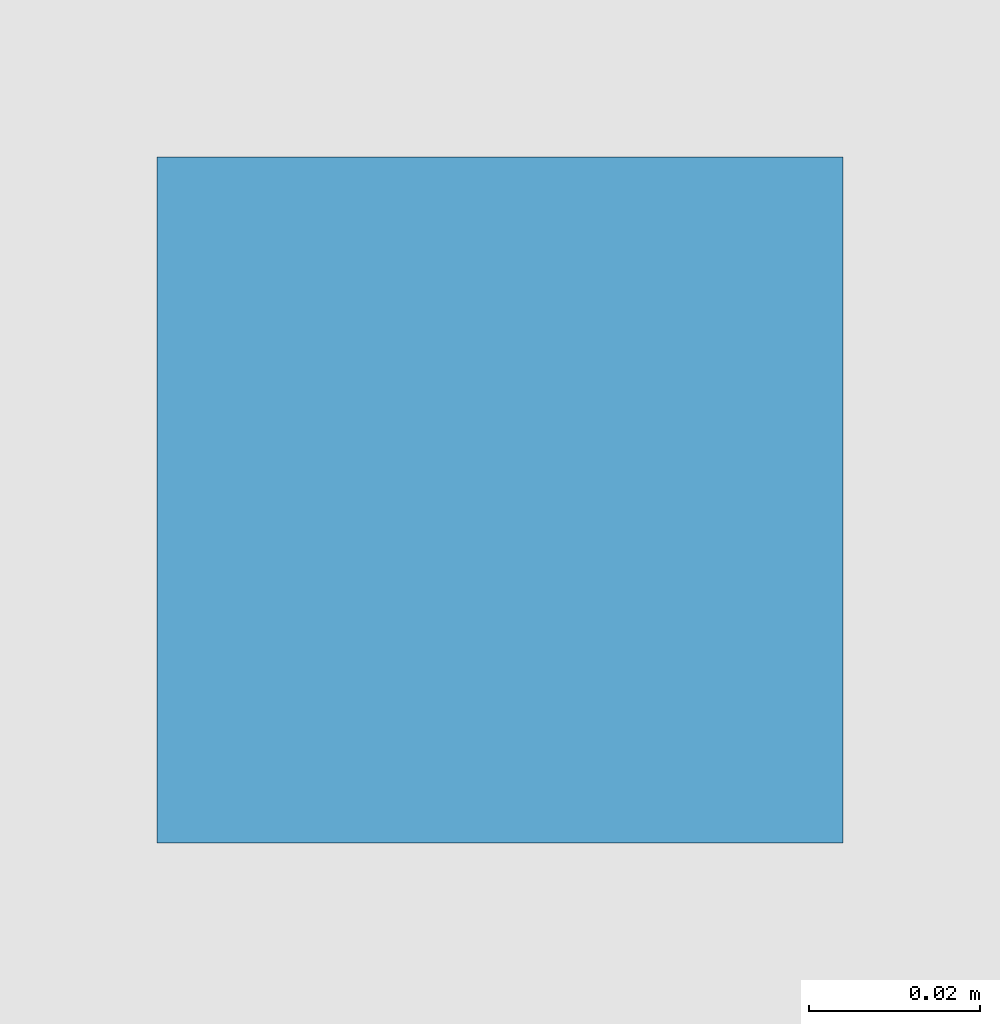
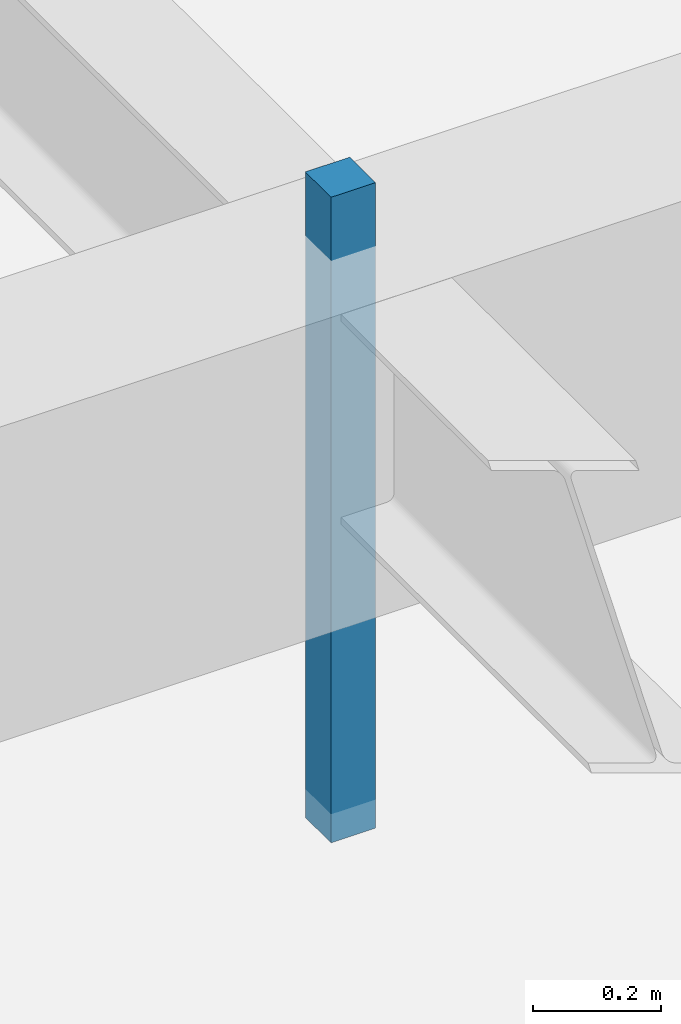
# One storey, part 113 of 126: 1 discrete accessory.
"""IFC4 building model written with IfcOpenShell, lengths in metres."""

from ifc_helpers import new_model, si_unit, direction, frame, origin, origin_2d, place, context, subcontext, project, spatial, rectangle, extrude, material, layer, layer_set, type_object, element, save


model = new_model("IFC4")

# Units and contexts
model_context = context("Model", 3, precision=1e-05, world=origin(), true_north=direction((0.0, 1.0)))
body_context = subcontext(model_context, "Body", "Model", "MODEL_VIEW")
ifc_project = project(units=[si_unit("LENGTHUNIT", "METRE"), si_unit("AREAUNIT", "SQUARE_METRE"), si_unit("VOLUMEUNIT", "CUBIC_METRE"), si_unit("PLANEANGLEUNIT", "RADIAN"), si_unit("MASSUNIT", "GRAM", prefix="KILO")], contexts=[model_context])

# Site, building, storey
site_placement = place(None, origin())
site = spatial("IfcSite", under=ifc_project, at=site_placement, CompositionType="ELEMENT")
building_placement = place(site_placement, origin())
building = spatial("IfcBuilding", under=site, at=building_placement, Name="Varnabhumi Central Station", CompositionType="ELEMENT")
storey_placement = place(building_placement, frame((0.0, 0.0, 16.199951171875)))
storey = spatial("IfcBuildingStorey", under=building, at=storey_placement, Name="L03", CompositionType="ELEMENT", Elevation=16.199951171875)

# Discrete accessory
ifc_material = material(Name="Structural steel E350", Category="steel")
ifc_layer = layer(ifc_material, 0.159912109375, Name="Structural steel E350", Category="steel")
ifc_layer_set = layer_set([ifc_layer], Name="Structural steel E350")
discrete_accessory_type = type_object("IfcDiscreteAccessoryType", Name="ACC-SHADE-BRKT", PredefinedType="BRACKET", material=ifc_layer_set)
discrete_accessory_placement = place(storey_placement, frame((36.0, 89.0, 2.840087890625), z_axis=(0.0, 0.0, 1.0), x_axis=(1.0, 0.0, 0.0)))
element("IfcDiscreteAccessory", 1, at=discrete_accessory_placement, inside=storey, type_object=discrete_accessory_type, Name="Bengali and Continental Dining Gallery Ceiling Hanger", PredefinedType="BRACKET", context=body_context, shape_type="SweptSolid", body=[
    extrude(rectangle(XDim=0.080078125, YDim=0.080078125, at=origin_2d()), origin(), (0.0, 0.0, 1.0), 1.22998046875),
])

save(model, "model.ifc")
